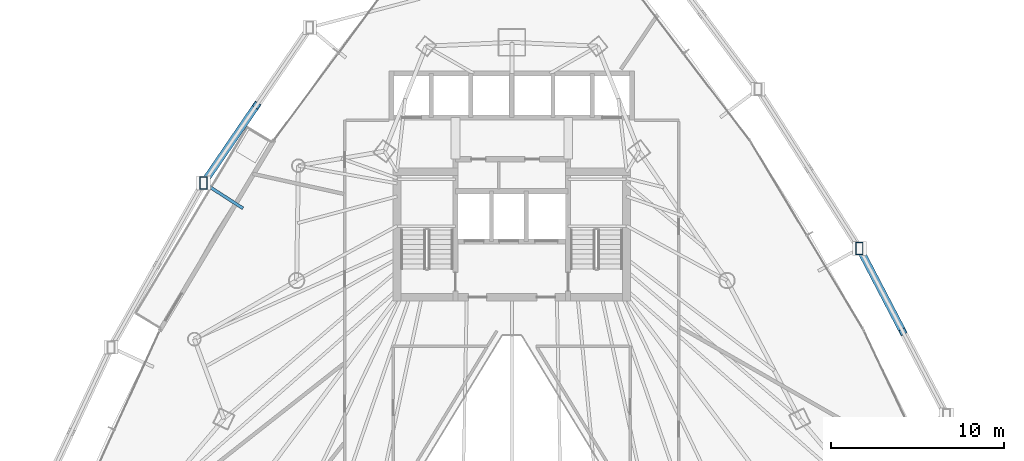
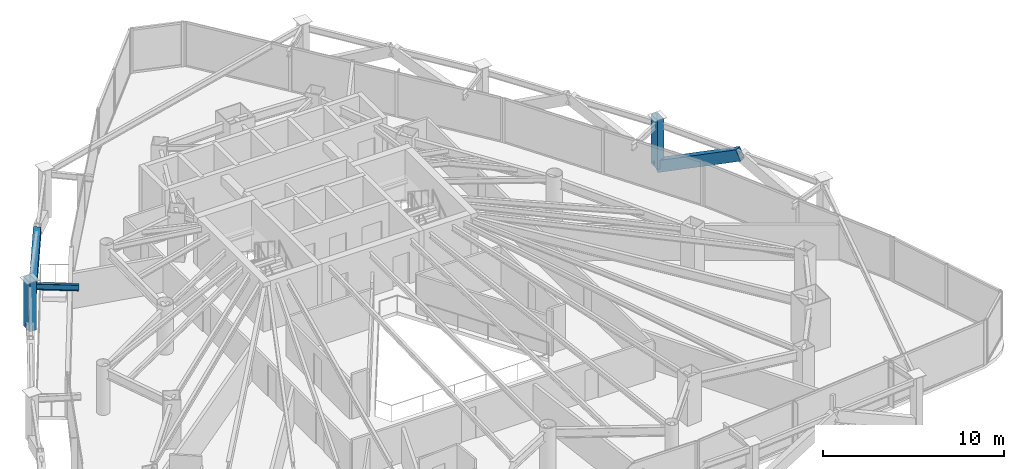
# One storey, part 22 of 38: 4 members, 1 beam.
"""IFC4 building model written with IfcOpenShell, lengths in metres."""

from ifc_helpers import new_model, si_unit, direction, frame, origin, origin_2d, place, context, subcontext, project, spatial, hollow_rectangle, i_section, extrude, material, material_profile, profile_set, type_object, element, save


model = new_model("IFC4")

# Units and contexts
model_context = context("Model", 3, precision=1e-05, world=origin(), true_north=direction((0.0, 1.0)))
body_context = subcontext(model_context, "Body", "Model", "MODEL_VIEW")
ifc_project = project(units=[si_unit("LENGTHUNIT", "METRE"), si_unit("AREAUNIT", "SQUARE_METRE"), si_unit("VOLUMEUNIT", "CUBIC_METRE"), si_unit("PLANEANGLEUNIT", "RADIAN"), si_unit("MASSUNIT", "GRAM", prefix="KILO")], contexts=[model_context])

# Site, building, storey
site_placement = place(None, origin())
site = spatial("IfcSite", under=ifc_project, at=site_placement, CompositionType="ELEMENT")
building_placement = place(site_placement, origin())
building = spatial("IfcBuilding", under=site, at=building_placement, Name="Orvanel Arch Residences", CompositionType="ELEMENT")
storey_placement = place(building_placement, frame((0.0, 0.0, 56.60009765625)))
storey = spatial("IfcBuildingStorey", under=building, at=storey_placement, Name="L15", CompositionType="ELEMENT", Elevation=56.60009765625)

# Members
ifc_material_1 = material(Name="Structural steel AS/NZS 3678 Grade 350", Category="steel")
ifc_material_profile_1 = material_profile(ifc_material_1, hollow_rectangle(XDim=0.419921875, YDim=0.719970703125, WallThickness=0.02490234375, at=origin_2d()), Name="RHS720x420x25")
ifc_profile_set_1 = profile_set([ifc_material_profile_1], Name="Structural steel AS/NZS 3678 Grade 350")
member_type_1 = type_object("IfcMemberType", Name="BR-720RHS-EXT", PredefinedType="BRACE", material=ifc_profile_set_1)
member_1_placement = place(storey_placement, frame((15.19189453125, 33.279052734375, 0.0), z_axis=(0.500902862754, 0.733027606861, 0.460181322594), x_axis=(-0.825644292731, 0.56419101542, 0.0)))
element("IfcMember", 1, at=member_1_placement, inside=storey, type_object=member_type_1, Name="L15 Exterior Sky-Garden V-Frame Chevron F1B1.2", PredefinedType="BRACE", context=body_context, shape_type="SweptSolid", body=[
    extrude(hollow_rectangle(XDim=0.419921875, YDim=0.719970703125, WallThickness=0.02490234375, at=origin_2d()), origin(), (0.0, 0.0, 1.0), 6.121337890625),
])
member_2_placement = place(storey_placement, frame((53.073974609375, 29.5009765625, 0.0), z_axis=(0.410755558524, -0.787045466609, 0.46026004023), x_axis=(0.886527955494, 0.462675030802, 0.0)))
element("IfcMember", 2, at=member_2_placement, inside=storey, type_object=member_type_1, Name="L15 Exterior Sky-Garden V-Frame Chevron F3B1.2", PredefinedType="BRACE", context=body_context, shape_type="SweptSolid", body=[
    extrude(hollow_rectangle(XDim=0.419921875, YDim=0.719970703125, WallThickness=0.02490234375, at=origin_2d()), origin(), (0.0, 0.0, 1.0), 6.1201171875),
])
ifc_material_profile_2 = material_profile(ifc_material_1, hollow_rectangle(XDim=0.419921875, YDim=0.719970703125, WallThickness=0.02490234375, at=origin_2d()), Name="RHS720x420x25")
ifc_profile_set_2 = profile_set([ifc_material_profile_2], Name="Structural steel AS/NZS 3678 Grade 350")
member_type_2 = type_object("IfcMemberType", Name="CH-720RHS-EXT", PredefinedType="CHORD", material=ifc_profile_set_2)
for number, where, z_axis, x_axis, name in (
    (3, (15.19189453125, 33.279052734375, 0.0), (0.0, 0.0, 1.0), (1.0, 0.0, 0.0), "L15 Outer Perimeter Frame Post 02"),
    (4, (53.073974609375, 29.5009765625, 0.0), (0.0, 0.0, 1.0), (1.0, 0.0, 0.0), "L15 Outer Perimeter Frame Post 10"),
):
    element("IfcMember", number, at=place(storey_placement, frame(where, z_axis=z_axis, x_axis=x_axis)), inside=storey, type_object=member_type_2, Name=name, PredefinedType="CHORD", context=body_context, shape_type="SweptSolid", body=[
        extrude(hollow_rectangle(XDim=0.419921875, YDim=0.719970703125, WallThickness=0.02490234375, at=origin_2d()), origin(), (0.0, 0.0, 1.0), 3.2998046875),
    ])

# Beam
ifc_material_2 = material(Name="Structural steel AS/NZS 3679.1 Grade 300 (300 MPa)", Category="steel")
ifc_material_profile_3 = material_profile(ifc_material_2, i_section(OverallWidth=0.177978515625, OverallDepth=0.406005859375, WebThickness=0.0078125, FlangeThickness=0.0126953125, at=origin_2d()), Name="410UB59.7")
ifc_profile_set_3 = profile_set([ifc_material_profile_3], Name="Structural steel AS/NZS 3679.1 Grade 300 (300 MPa)")
beam_type = type_object("IfcBeamType", Name="OB-410UB-EXT", PredefinedType="SPANDREL", material=ifc_profile_set_3)
beam_placement = place(storey_placement, frame((17.467041015625, 31.81201171875, 2.81689453125), z_axis=(-0.840430474877, 0.541919382287, 0.0), x_axis=(-0.541919382287, -0.840430474877, 0.0)))
element("IfcBeam", 5, at=beam_placement, inside=storey, type_object=beam_type, Name="L15 Outer Frame Radial Tie Beam 02", PredefinedType="SPANDREL", context=body_context, shape_type="SweptSolid", body=[
    extrude(i_section(OverallWidth=0.177978515625, OverallDepth=0.406005859375, WebThickness=0.0078125, FlangeThickness=0.0126953125, at=origin_2d()), origin(), (0.0, 0.0, 1.0), 2.70703125),
])

save(model, "model.ifc")
